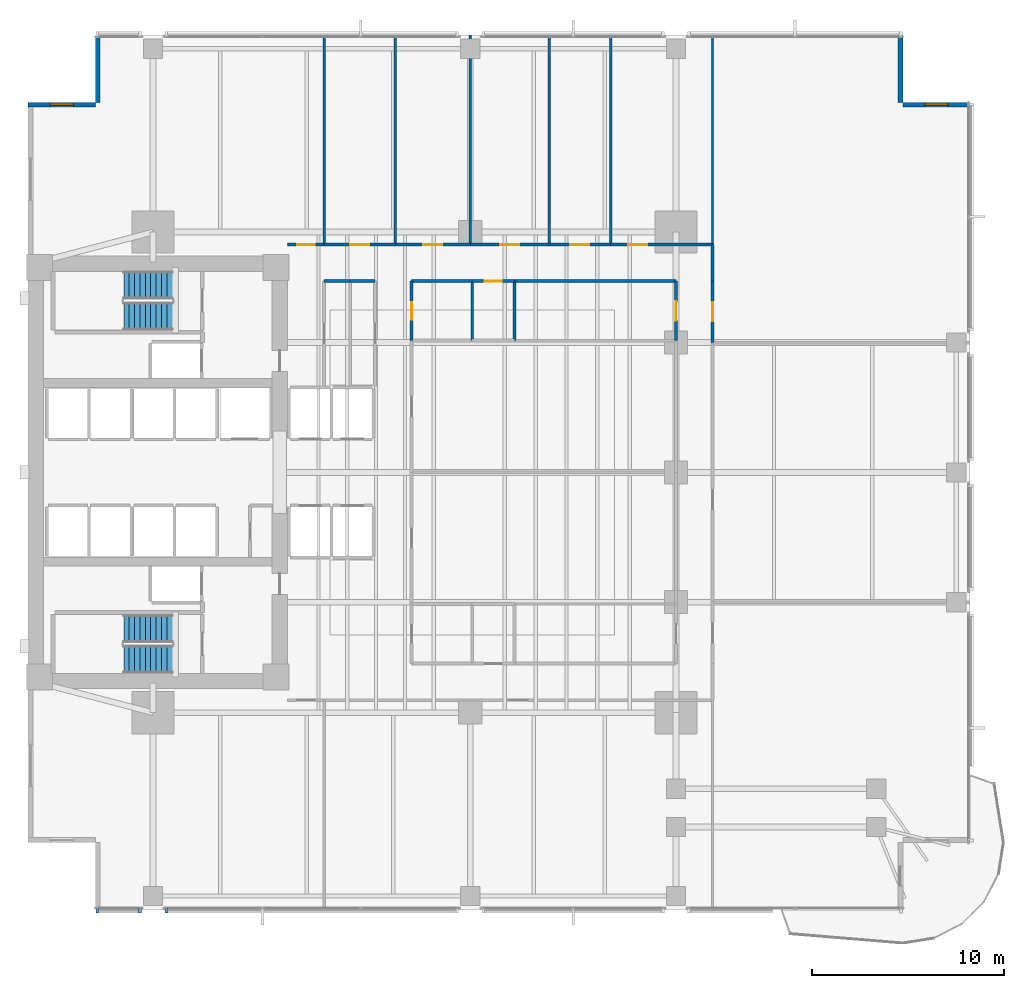
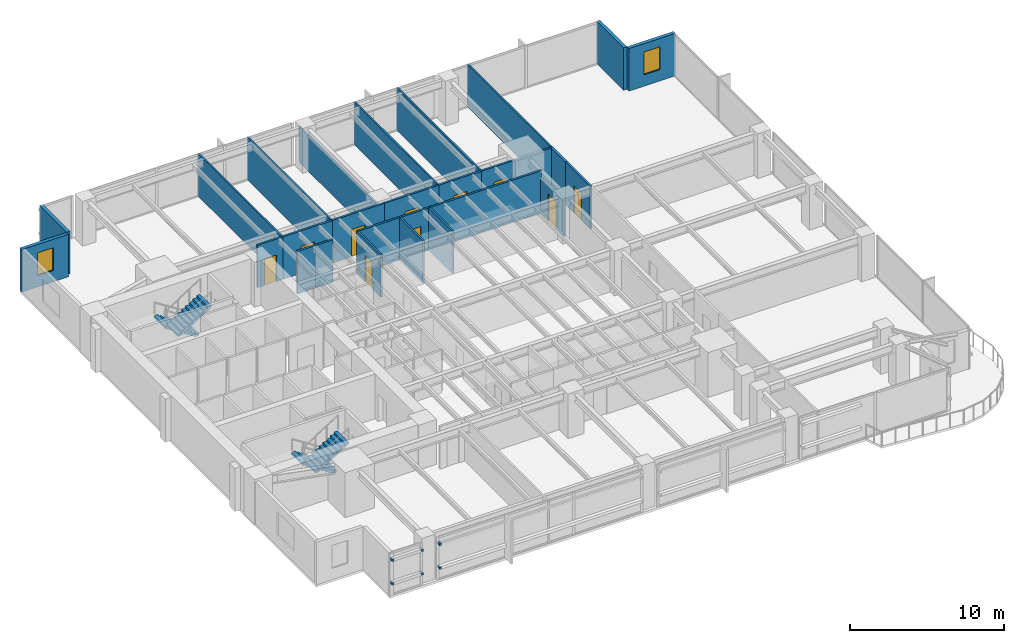
# One storey, part 10 of 15: 27 walls, 10 doors, 6 discrete accessories, 4 stair flights, 2 windows, 12 openings, 2 elements without a shape of their own.
"""IFC4 building model written with IfcOpenShell, lengths in metres."""

from ifc_helpers import new_model, si_unit, direction, frame, frame_2d, origin, origin_2d, place, context, subcontext, project, spatial, polyline, rectangle, outline, extrude, material, layer, layer_set, type_object, element, fill, aggregate, save


model = new_model("IFC4")

# Units and contexts
model_context = context("Model", 3, precision=1e-05, world=origin(), true_north=direction((0.0, 1.0)))
body_context = subcontext(model_context, "Body", "Model", "MODEL_VIEW")
ifc_project = project(units=[si_unit("LENGTHUNIT", "METRE"), si_unit("AREAUNIT", "SQUARE_METRE"), si_unit("VOLUMEUNIT", "CUBIC_METRE"), si_unit("PLANEANGLEUNIT", "RADIAN"), si_unit("MASSUNIT", "GRAM", prefix="KILO")], contexts=[model_context])

# Site, building, storey
site_placement = place(None, origin())
site = spatial("IfcSite", under=ifc_project, at=site_placement, CompositionType="ELEMENT")
building_placement = place(site_placement, origin())
building = spatial("IfcBuilding", under=site, at=building_placement, Name="Kinhvarn Gate Tower", CompositionType="ELEMENT")
storey_placement = place(building_placement, frame((0.0, 0.0, 54.0)))
storey = spatial("IfcBuildingStorey", under=building, at=storey_placement, Name="L13", CompositionType="ELEMENT", Elevation=54.0)

# Wall, opening, window
ifc_material_1 = material(Name="Fired architectural terracotta", Category="masonry")
ifc_layer_1 = layer(ifc_material_1, 0.25)
ifc_layer_set_1 = layer_set([ifc_layer_1], Name="Fired architectural terracotta")
wall_type_1 = type_object("IfcWallType", Name="WL-EXT-250", PredefinedType="SOLIDWALL", material=ifc_layer_set_1)
wall_1_placement = place(storey_placement, frame((53.5, 44.375, 0.0), z_axis=(0.0, 0.0, 1.0), x_axis=(-1.0, 0.0, 0.0)))
wall_1 = element("IfcWall", 1, at=wall_1_placement, inside=storey, type_object=wall_type_1, Name="Exterior Solidwall Wall EW-250 (L13 NE-Notch-1)", PredefinedType="SOLIDWALL", context=body_context, shape_type="SweptSolid", body=[
    extrude(rectangle(XDim=3.5, YDim=0.25, at=frame_2d((1.75, 0.0))), origin(), (0.0, 0.0, 1.0), 3.3701171875),
])
opening_1_placement = place(wall_1_placement, frame((1.14990234375, 0.0, 0.89990234375)))
opening_1 = element("IfcOpeningElement", 2, at=opening_1_placement, cuts=wall_1, Name="Opening WN-02", PredefinedType="OPENING", context=body_context, shape_type="SweptSolid", body=[
    extrude(rectangle(XDim=1.199951171875, YDim=1.800048828125, at=frame_2d((0.60009765625, 0.89990234375))), frame((0.0, 0.135009765625, 0.0), z_axis=(0.0, -1.0, 0.0), x_axis=(1.0, 0.0, 0.0)), (0.0, 0.0, 1.0), 0.27001953125),
])
ifc_material_2 = material(Name="Clear low-e double glazing", Category="glass")
window_type = type_object("IfcWindowType", Name="WIN-NTC-1200", PartitioningType="SINGLE_PANEL", PredefinedType="WINDOW", material=ifc_material_2)
window_1_placement = place(opening_1_placement, origin())
window_1 = element("IfcWindow", 3, at=window_1_placement, inside=storey, type_object=window_type, Name="Recessed Corner Notch Punched Window 1200x1800 mm (L13)", OverallHeight=1.800048828125, OverallWidth=1.199951171875, PartitioningType="SINGLE_PANEL", PredefinedType="WINDOW", context=body_context, shape_type="SweptSolid", body=[
    extrude(rectangle(XDim=1.199951171875, YDim=1.800048828125, at=frame_2d((0.60009765625, 0.89990234375))), frame((0.0, 0.030029296875, 0.0), z_axis=(0.0, -1.0, 0.0), x_axis=(1.0, 0.0, 0.0)), (0.0, 0.0, 1.0), 0.06005859375),
])
fill(opening_1, window_1)

# Walls
for number, where, z_axis, x_axis, name in (
    (4, (49.875, 44.5, 0.0), (0.0, 0.0, 1.0), (0.0, 1.0, 0.0), "Exterior Solidwall Wall EW-250 (L13 NE-Notch-2)"),
    (5, (8.125, 48.0, 0.0), (0.0, 0.0, 1.0), (0.0, -1.0, 0.0), "Exterior Solidwall Wall EW-250 (L13 NW-Notch-1)"),
):
    element("IfcWall", number, at=place(storey_placement, frame(where, z_axis=z_axis, x_axis=x_axis)), inside=storey, type_object=wall_type_1, Name=name, PredefinedType="SOLIDWALL", context=body_context, shape_type="SweptSolid", body=[
        extrude(rectangle(XDim=3.5, YDim=0.25, at=frame_2d((1.75, 0.0))), origin(), (0.0, 0.0, 1.0), 3.3701171875),
    ])

# Wall, opening, window
wall_2_placement = place(storey_placement, frame((8.0, 44.375, 0.0), z_axis=(0.0, 0.0, 1.0), x_axis=(-1.0, 0.0, 0.0)))
wall_2 = element("IfcWall", 6, at=wall_2_placement, inside=storey, type_object=wall_type_1, Name="Exterior Solidwall Wall EW-250 (L13 NW-Notch-2)", PredefinedType="SOLIDWALL", context=body_context, shape_type="SweptSolid", body=[
    extrude(rectangle(XDim=3.5, YDim=0.25, at=frame_2d((1.75, 0.0))), origin(), (0.0, 0.0, 1.0), 3.3701171875),
])
opening_2_placement = place(wall_2_placement, frame((1.14990234375, 0.0, 0.89990234375)))
opening_2 = element("IfcOpeningElement", 7, at=opening_2_placement, cuts=wall_2, Name="Opening WN-02", PredefinedType="OPENING", context=body_context, shape_type="SweptSolid", body=[
    extrude(rectangle(XDim=1.199951171875, YDim=1.800048828125, at=frame_2d((0.60009765625, 0.89990234375))), frame((0.0, 0.135009765625, 0.0), z_axis=(0.0, -1.0, 0.0), x_axis=(1.0, 0.0, 0.0)), (0.0, 0.0, 1.0), 0.27001953125),
])
window_2_placement = place(opening_2_placement, origin())
window_2 = element("IfcWindow", 8, at=window_2_placement, inside=storey, type_object=window_type, Name="Recessed Corner Notch Punched Window 1200x1800 mm (L13)", OverallHeight=1.800048828125, OverallWidth=1.199951171875, PartitioningType="SINGLE_PANEL", PredefinedType="WINDOW", context=body_context, shape_type="SweptSolid", body=[
    extrude(rectangle(XDim=1.199951171875, YDim=1.800048828125, at=frame_2d((0.60009765625, 0.89990234375))), frame((0.0, 0.030029296875, 0.0), z_axis=(0.0, -1.0, 0.0), x_axis=(1.0, 0.0, 0.0)), (0.0, 0.0, 1.0), 0.06005859375),
])
fill(opening_2, window_2)

# Walls
ifc_material_3 = material(Name="Gypsum acoustic partition board")
ifc_layer_2 = layer(ifc_material_3, 0.14990234375)
ifc_layer_set_2 = layer_set([ifc_layer_2], Name="Gypsum acoustic partition board")
wall_type_2 = type_object("IfcWallType", Name="WL-PLM-150", PredefinedType="PLUMBINGWALL", material=ifc_layer_set_2)
for number, where, z_axis, x_axis, name in (
    (9, (27.60009765625, 32.10009765625, 0.0), (0.0, 0.0, 1.0), (0.0, 1.0, 0.0), "Interior Partition PLW-150 (L13)"),
    (10, (29.800048828125, 32.10009765625, 0.0), (0.0, 0.0, 1.0), (0.0, 1.0, 0.0), "Interior Partition PLW-150 (L13)"),
):
    element("IfcWall", number, at=place(storey_placement, frame(where, z_axis=z_axis, x_axis=x_axis)), inside=storey, type_object=wall_type_2, Name=name, PredefinedType="PLUMBINGWALL", context=body_context, shape_type="SweptSolid", body=[
        extrude(rectangle(XDim=3.099853515625, YDim=0.14990234375, at=frame_2d((1.5498046875, 0.0))), origin(), (0.0, 0.0, 1.0), 3.3701171875),
    ])

# Wall, opening, door
ifc_layer_3 = layer(ifc_material_3, 0.14990234375)
ifc_layer_set_3 = layer_set([ifc_layer_3], Name="Gypsum acoustic partition board")
wall_type_3 = type_object("IfcWallType", Name="WL-PLM-150F", PredefinedType="PLUMBINGWALL", material=ifc_layer_set_3)
wall_3_placement = place(storey_placement, frame((24.449951171875, 32.10009765625, 0.0), z_axis=(0.0, 0.0, 1.0), x_axis=(0.0, 1.0, 0.0)))
wall_3 = element("IfcWall", 11, at=wall_3_placement, inside=storey, type_object=wall_type_3, Name="Interior Partition PLW-150F (L13)", PredefinedType="PLUMBINGWALL", context=body_context, shape_type="SweptSolid", body=[
    extrude(rectangle(XDim=3.099853515625, YDim=0.14990234375, at=frame_2d((1.5498046875, 0.0))), origin(), (0.0, 0.0, 1.0), 3.3701171875),
])
opening_3_placement = place(wall_3_placement, frame((1.10009765625, 0.0, 0.0)))
opening_3 = element("IfcOpeningElement", 12, at=opening_3_placement, cuts=wall_3, Name="Opening FD-04", PredefinedType="OPENING", context=body_context, shape_type="SweptSolid", body=[
    extrude(rectangle(XDim=0.89990234375, YDim=2.10009765625, at=frame_2d((0.449951171875, 1.050048828125))), frame((0.0, 0.0849609375, 0.0), z_axis=(0.0, -1.0, 0.0), x_axis=(1.0, 0.0, 0.0)), (0.0, 0.0, 1.0), 0.169921875),
])
ifc_material_4 = material(Name="Anodised aluminium AW-6063", Category="aluminium")
door_type_1 = type_object("IfcDoorType", Name="DR-FD-900", OperationType="NOTDEFINED", PredefinedType="DOOR", material=ifc_material_4)
door_1_placement = place(opening_3_placement, origin())
door_1 = element("IfcDoor", 13, at=door_1_placement, inside=storey, type_object=door_type_1, Name="Rated Riser & Service Closet Fire Door 900x2100 mm (L13)", OperationType="SINGLE_SWING_LEFT", OverallHeight=2.10009765625, OverallWidth=0.89990234375, PredefinedType="DOOR", context=body_context, shape_type="SweptSolid", body=[
    extrude(rectangle(XDim=0.89990234375, YDim=2.10009765625, at=frame_2d((0.449951171875, 1.050048828125))), frame((0.0, 0.02490234375, 0.0), z_axis=(0.0, -1.0, 0.0), x_axis=(1.0, 0.0, 0.0)), (0.0, 0.0, 1.0), 0.050048828125),
])
fill(opening_3, door_1)

# Wall
wall_4_placement = place(storey_placement, frame((24.449951171875, 35.199951171875, 0.0), z_axis=(0.0, 0.0, 1.0), x_axis=(1.0, 0.0, 0.0)))
element("IfcWall", 14, at=wall_4_placement, inside=storey, type_object=wall_type_3, Name="Interior Partition PLW-150F (L13)", PredefinedType="PLUMBINGWALL", context=body_context, shape_type="SweptSolid", body=[
    extrude(rectangle(XDim=3.150146484375, YDim=0.14990234375, at=frame_2d((1.5751953125, 0.0))), origin(), (0.0, 0.0, 1.0), 3.3701171875),
])

# Wall, opening, door
wall_5_placement = place(storey_placement, frame((27.60009765625, 35.199951171875, 0.0), z_axis=(0.0, 0.0, 1.0), x_axis=(1.0, 0.0, 0.0)))
wall_5 = element("IfcWall", 15, at=wall_5_placement, inside=storey, type_object=wall_type_3, Name="Interior Partition PLW-150F (L13)", PredefinedType="PLUMBINGWALL", context=body_context, shape_type="SweptSolid", body=[
    extrude(rectangle(XDim=2.199951171875, YDim=0.14990234375, at=frame_2d((1.10009765625, 0.0))), origin(), (0.0, 0.0, 1.0), 3.3701171875),
])
opening_4_placement = place(wall_5_placement, frame((0.64990234375, 0.0, 0.0)))
opening_4 = element("IfcOpeningElement", 16, at=opening_4_placement, cuts=wall_5, Name="Opening FD-04", PredefinedType="OPENING", context=body_context, shape_type="SweptSolid", body=[
    extrude(rectangle(XDim=0.89990234375, YDim=2.10009765625, at=frame_2d((0.449951171875, 1.050048828125))), frame((0.0, 0.0849609375, 0.0), z_axis=(0.0, -1.0, 0.0), x_axis=(1.0, 0.0, 0.0)), (0.0, 0.0, 1.0), 0.169921875),
])
door_2_placement = place(opening_4_placement, origin())
door_2 = element("IfcDoor", 17, at=door_2_placement, inside=storey, type_object=door_type_1, Name="Rated Riser & Service Closet Fire Door 900x2100 mm (L13)", OperationType="SINGLE_SWING_RIGHT", OverallHeight=2.10009765625, OverallWidth=0.89990234375, PredefinedType="DOOR", context=body_context, shape_type="SweptSolid", body=[
    extrude(rectangle(XDim=0.89990234375, YDim=2.10009765625, at=frame_2d((0.449951171875, 1.050048828125))), frame((0.0, 0.02490234375, 0.0), z_axis=(0.0, -1.0, 0.0), x_axis=(1.0, 0.0, 0.0)), (0.0, 0.0, 1.0), 0.050048828125),
])
fill(opening_4, door_2)

# Walls
ifc_layer_4 = layer(ifc_material_3, 0.1201171875)
ifc_layer_set_4 = layer_set([ifc_layer_4], Name="Gypsum acoustic partition board")
wall_type_4 = type_object("IfcWallType", Name="WL-PRT-120", PredefinedType="PARTITIONING", material=ifc_layer_set_4)
for number, where, z_axis, x_axis, name in (
    (18, (19.89990234375, 37.10009765625, 0.0), (0.0, 0.0, 1.0), (0.0, 1.0, 0.0), "Interior Partition PW-120 (L13)"),
    (19, (23.60009765625, 37.10009765625, 0.0), (0.0, 0.0, 1.0), (0.0, 1.0, 0.0), "Interior Partition PW-120 (L13)"),
):
    element("IfcWall", number, at=place(storey_placement, frame(where, z_axis=z_axis, x_axis=x_axis)), inside=storey, type_object=wall_type_4, Name=name, PredefinedType="PARTITIONING", context=body_context, shape_type="SweptSolid", body=[
        extrude(rectangle(XDim=10.889892578125, YDim=0.1201171875, at=frame_2d((5.44482421875, 0.0))), origin(), (0.0, 0.0, 1.0), 3.3701171875),
    ])
wall_6_placement = place(storey_placement, frame((27.5, 37.10009765625, 0.0), z_axis=(0.0, 0.0, 1.0), x_axis=(0.0, 1.0, 0.0)))
element("IfcWall", 20, at=wall_6_placement, inside=storey, type_object=wall_type_4, Name="Interior Partition PW-120 (L13)", PredefinedType="PARTITIONING", context=body_context, shape_type="SweptSolid", body=[
    extrude(rectangle(XDim=10.889892578125, YDim=0.1201171875, at=frame_2d((5.44482421875, 0.0))), origin(), (0.0, 0.0, 1.0), 2.820068359375),
])
for number, where, z_axis, x_axis, name in (
    (21, (31.60009765625, 37.10009765625, 0.0), (0.0, 0.0, 1.0), (0.0, 1.0, 0.0), "Interior Partition PW-120 (L13)"),
    (22, (34.800048828125, 37.10009765625, 0.0), (0.0, 0.0, 1.0), (0.0, 1.0, 0.0), "Interior Partition PW-120 (L13)"),
    (23, (40.10009765625, 37.10009765625, 0.0), (0.0, 0.0, 1.0), (0.0, 1.0, 0.0), "Interior Partition PW-120 (L13)"),
):
    element("IfcWall", number, at=place(storey_placement, frame(where, z_axis=z_axis, x_axis=x_axis)), inside=storey, type_object=wall_type_4, Name=name, PredefinedType="PARTITIONING", context=body_context, shape_type="SweptSolid", body=[
        extrude(rectangle(XDim=10.889892578125, YDim=0.1201171875, at=frame_2d((5.44482421875, 0.0))), origin(), (0.0, 0.0, 1.0), 3.3701171875),
    ])
ifc_layer_5 = layer(ifc_material_3, 0.14990234375)
ifc_layer_set_5 = layer_set([ifc_layer_5], Name="Gypsum acoustic partition board")
wall_type_5 = type_object("IfcWallType", Name="WL-PRT-150F", PredefinedType="PARTITIONING", material=ifc_layer_set_5)
wall_7_placement = place(storey_placement, frame((19.89990234375, 35.199951171875, 0.0), z_axis=(0.0, 0.0, 1.0), x_axis=(1.0, 0.0, 0.0)))
element("IfcWall", 24, at=wall_7_placement, inside=storey, type_object=wall_type_5, Name="Interior Partition PW-150F (L13)", PredefinedType="PARTITIONING", context=body_context, shape_type="SweptSolid", body=[
    extrude(rectangle(XDim=1.35009765625, YDim=0.14990234375, at=frame_2d((0.675048828125, 0.0))), origin(), (0.0, 0.0, 1.0), 3.3701171875),
])
wall_8_placement = place(storey_placement, frame((21.25, 35.199951171875, 0.0), z_axis=(0.0, 0.0, 1.0), x_axis=(1.0, 0.0, 0.0)))
element("IfcWall", 25, at=wall_8_placement, inside=storey, type_object=wall_type_5, Name="Interior Partition PW-150F (L13)", PredefinedType="PARTITIONING", context=body_context, shape_type="SweptSolid", body=[
    extrude(rectangle(XDim=1.300048828125, YDim=0.14990234375, at=frame_2d((0.64990234375, 0.0))), origin(), (0.0, 0.0, 1.0), 3.3701171875),
])
wall_9_placement = place(storey_placement, frame((29.800048828125, 35.199951171875, 0.0), z_axis=(0.0, 0.0, 1.0), x_axis=(1.0, 0.0, 0.0)))
element("IfcWall", 26, at=wall_9_placement, inside=storey, type_object=wall_type_5, Name="Interior Partition PW-150F (L13)", PredefinedType="PARTITIONING", context=body_context, shape_type="SweptSolid", body=[
    extrude(rectangle(XDim=8.39990234375, YDim=0.14990234375, at=frame_2d((4.199951171875, 0.0))), origin(), (0.0, 0.0, 1.0), 3.3701171875),
])

# Wall, opening, door
wall_10_placement = place(storey_placement, frame((18.0, 37.10009765625, 0.0), z_axis=(0.0, 0.0, 1.0), x_axis=(1.0, 0.0, 0.0)))
wall_10 = element("IfcWall", 27, at=wall_10_placement, inside=storey, type_object=wall_type_5, Name="Interior Partition PW-150F (L13)", PredefinedType="PARTITIONING", context=body_context, shape_type="SweptSolid", body=[
    extrude(rectangle(XDim=1.89990234375, YDim=0.14990234375, at=frame_2d((0.949951171875, 0.0))), origin(), (0.0, 0.0, 1.0), 3.3701171875),
])
opening_5_placement = place(wall_10_placement, frame((0.5, 0.0, 0.0)))
opening_5 = element("IfcOpeningElement", 28, at=opening_5_placement, cuts=wall_10, Name="Opening ID-03", PredefinedType="OPENING", context=body_context, shape_type="SweptSolid", body=[
    extrude(rectangle(XDim=0.89990234375, YDim=2.10009765625, at=frame_2d((0.449951171875, 1.050048828125))), frame((0.0, 0.0849609375, 0.0), z_axis=(0.0, -1.0, 0.0), x_axis=(1.0, 0.0, 0.0)), (0.0, 0.0, 1.0), 0.169921875),
])
door_type_2 = type_object("IfcDoorType", Name="DR-INT-900", OperationType="NOTDEFINED", PredefinedType="DOOR", material=ifc_material_4)
door_3_placement = place(opening_5_placement, origin())
door_3 = element("IfcDoor", 29, at=door_3_placement, inside=storey, type_object=door_type_2, Name="Cellular Office & Restroom Door 900x2100 mm (L13)", OperationType="SINGLE_SWING_LEFT", OverallHeight=2.10009765625, OverallWidth=0.89990234375, PredefinedType="DOOR", context=body_context, shape_type="SweptSolid", body=[
    extrude(rectangle(XDim=0.89990234375, YDim=2.10009765625, at=frame_2d((0.449951171875, 1.050048828125))), frame((0.0, 0.02490234375, 0.0), z_axis=(0.0, -1.0, 0.0), x_axis=(1.0, 0.0, 0.0)), (0.0, 0.0, 1.0), 0.050048828125),
])
fill(opening_5, door_3)

wall_11_placement = place(storey_placement, frame((19.89990234375, 37.10009765625, 0.0), z_axis=(0.0, 0.0, 1.0), x_axis=(1.0, 0.0, 0.0)))
wall_11 = element("IfcWall", 30, at=wall_11_placement, inside=storey, type_object=wall_type_5, Name="Interior Partition PW-150F (L13)", PredefinedType="PARTITIONING", context=body_context, shape_type="SweptSolid", body=[
    extrude(rectangle(XDim=3.7001953125, YDim=0.14990234375, at=frame_2d((1.85009765625, 0.0))), origin(), (0.0, 0.0, 1.0), 3.3701171875),
])
opening_6_placement = place(wall_11_placement, frame((1.35009765625, 0.0, 0.0)))
opening_6 = element("IfcOpeningElement", 31, at=opening_6_placement, cuts=wall_11, Name="Opening ID-02", PredefinedType="OPENING", context=body_context, shape_type="SweptSolid", body=[
    extrude(rectangle(XDim=1.0, YDim=2.14990234375, at=frame_2d((0.5, 1.074951171875))), frame((0.0, 0.0849609375, 0.0), z_axis=(0.0, -1.0, 0.0), x_axis=(1.0, 0.0, 0.0)), (0.0, 0.0, 1.0), 0.169921875),
])
door_type_3 = type_object("IfcDoorType", Name="DR-INT-1000", OperationType="NOTDEFINED", PredefinedType="DOOR", material=ifc_material_4)
door_4_placement = place(opening_6_placement, origin())
door_4 = element("IfcDoor", 32, at=door_4_placement, inside=storey, type_object=door_type_3, Name="Standard Office & Meeting Room Door 1000x2150 mm (L13)", OperationType="SINGLE_SWING_RIGHT", OverallHeight=2.14990234375, OverallWidth=1.0, PredefinedType="DOOR", context=body_context, shape_type="SweptSolid", body=[
    extrude(rectangle(XDim=1.0, YDim=2.14990234375, at=frame_2d((0.5, 1.074951171875))), frame((0.0, 0.02490234375, 0.0), z_axis=(0.0, -1.0, 0.0), x_axis=(1.0, 0.0, 0.0)), (0.0, 0.0, 1.0), 0.050048828125),
])
fill(opening_6, door_4)

wall_12_placement = place(storey_placement, frame((23.60009765625, 37.10009765625, 0.0), z_axis=(0.0, 0.0, 1.0), x_axis=(1.0, 0.0, 0.0)))
wall_12 = element("IfcWall", 33, at=wall_12_placement, inside=storey, type_object=wall_type_5, Name="Interior Partition PW-150F (L13)", PredefinedType="PARTITIONING", context=body_context, shape_type="SweptSolid", body=[
    extrude(rectangle(XDim=3.89990234375, YDim=0.14990234375, at=frame_2d((1.949951171875, 0.0))), origin(), (0.0, 0.0, 1.0), 3.3701171875),
])
opening_7_placement = place(wall_12_placement, frame((1.449951171875, 0.0, 0.0)))
opening_7 = element("IfcOpeningElement", 34, at=opening_7_placement, cuts=wall_12, Name="Opening ID-02", PredefinedType="OPENING", context=body_context, shape_type="SweptSolid", body=[
    extrude(rectangle(XDim=1.0, YDim=2.14990234375, at=frame_2d((0.5, 1.074951171875))), frame((0.0, 0.0849609375, 0.0), z_axis=(0.0, -1.0, 0.0), x_axis=(1.0, 0.0, 0.0)), (0.0, 0.0, 1.0), 0.169921875),
])
door_5_placement = place(opening_7_placement, origin())
door_5 = element("IfcDoor", 35, at=door_5_placement, inside=storey, type_object=door_type_3, Name="Standard Office & Meeting Room Door 1000x2150 mm (L13)", OperationType="SINGLE_SWING_LEFT", OverallHeight=2.14990234375, OverallWidth=1.0, PredefinedType="DOOR", context=body_context, shape_type="SweptSolid", body=[
    extrude(rectangle(XDim=1.0, YDim=2.14990234375, at=frame_2d((0.5, 1.074951171875))), frame((0.0, 0.02490234375, 0.0), z_axis=(0.0, -1.0, 0.0), x_axis=(1.0, 0.0, 0.0)), (0.0, 0.0, 1.0), 0.050048828125),
])
fill(opening_7, door_5)

wall_13_placement = place(storey_placement, frame((27.5, 37.10009765625, 0.0), z_axis=(0.0, 0.0, 1.0), x_axis=(1.0, 0.0, 0.0)))
wall_13 = element("IfcWall", 36, at=wall_13_placement, inside=storey, type_object=wall_type_5, Name="Interior Partition PW-150F (L13)", PredefinedType="PARTITIONING", context=body_context, shape_type="SweptSolid", body=[
    extrude(rectangle(XDim=4.10009765625, YDim=0.14990234375, at=frame_2d((2.050048828125, 0.0))), origin(), (0.0, 0.0, 1.0), 3.3701171875),
])
opening_8_placement = place(wall_13_placement, frame((1.550048828125, 0.0, 0.0)))
opening_8 = element("IfcOpeningElement", 37, at=opening_8_placement, cuts=wall_13, Name="Opening ID-02", PredefinedType="OPENING", context=body_context, shape_type="SweptSolid", body=[
    extrude(rectangle(XDim=1.0, YDim=2.14990234375, at=frame_2d((0.5, 1.074951171875))), frame((0.0, 0.0849609375, 0.0), z_axis=(0.0, -1.0, 0.0), x_axis=(1.0, 0.0, 0.0)), (0.0, 0.0, 1.0), 0.169921875),
])
door_6_placement = place(opening_8_placement, origin())
door_6 = element("IfcDoor", 38, at=door_6_placement, inside=storey, type_object=door_type_3, Name="Standard Office & Meeting Room Door 1000x2150 mm (L13)", OperationType="SINGLE_SWING_RIGHT", OverallHeight=2.14990234375, OverallWidth=1.0, PredefinedType="DOOR", context=body_context, shape_type="SweptSolid", body=[
    extrude(rectangle(XDim=1.0, YDim=2.14990234375, at=frame_2d((0.5, 1.074951171875))), frame((0.0, 0.02490234375, 0.0), z_axis=(0.0, -1.0, 0.0), x_axis=(1.0, 0.0, 0.0)), (0.0, 0.0, 1.0), 0.050048828125),
])
fill(opening_8, door_6)

wall_14_placement = place(storey_placement, frame((31.60009765625, 37.10009765625, 0.0), z_axis=(0.0, 0.0, 1.0), x_axis=(1.0, 0.0, 0.0)))
wall_14 = element("IfcWall", 39, at=wall_14_placement, inside=storey, type_object=wall_type_5, Name="Interior Partition PW-150F (L13)", PredefinedType="PARTITIONING", context=body_context, shape_type="SweptSolid", body=[
    extrude(rectangle(XDim=3.199951171875, YDim=0.14990234375, at=frame_2d((1.60009765625, 0.0))), origin(), (0.0, 0.0, 1.0), 3.3701171875),
])
opening_9_placement = place(wall_14_placement, frame((1.10009765625, 0.0, 0.0)))
opening_9 = element("IfcOpeningElement", 40, at=opening_9_placement, cuts=wall_14, Name="Opening ID-02", PredefinedType="OPENING", context=body_context, shape_type="SweptSolid", body=[
    extrude(rectangle(XDim=1.0, YDim=2.14990234375, at=frame_2d((0.5, 1.074951171875))), frame((0.0, 0.0849609375, 0.0), z_axis=(0.0, -1.0, 0.0), x_axis=(1.0, 0.0, 0.0)), (0.0, 0.0, 1.0), 0.169921875),
])
door_7_placement = place(opening_9_placement, origin())
door_7 = element("IfcDoor", 41, at=door_7_placement, inside=storey, type_object=door_type_3, Name="Standard Office & Meeting Room Door 1000x2150 mm (L13)", OperationType="SINGLE_SWING_LEFT", OverallHeight=2.14990234375, OverallWidth=1.0, PredefinedType="DOOR", context=body_context, shape_type="SweptSolid", body=[
    extrude(rectangle(XDim=1.0, YDim=2.14990234375, at=frame_2d((0.5, 1.074951171875))), frame((0.0, 0.02490234375, 0.0), z_axis=(0.0, -1.0, 0.0), x_axis=(1.0, 0.0, 0.0)), (0.0, 0.0, 1.0), 0.050048828125),
])
fill(opening_9, door_7)

wall_15_placement = place(storey_placement, frame((34.800048828125, 37.10009765625, 0.0), z_axis=(0.0, 0.0, 1.0), x_axis=(1.0, 0.0, 0.0)))
wall_15 = element("IfcWall", 42, at=wall_15_placement, inside=storey, type_object=wall_type_5, Name="Interior Partition PW-150F (L13)", PredefinedType="PARTITIONING", context=body_context, shape_type="SweptSolid", body=[
    extrude(rectangle(XDim=5.300048828125, YDim=0.14990234375, at=frame_2d((2.64990234375, 0.0))), origin(), (0.0, 0.0, 1.0), 3.3701171875),
])
opening_10_placement = place(wall_15_placement, frame((0.909912109375, 0.0, 0.0)))
opening_10 = element("IfcOpeningElement", 43, at=opening_10_placement, cuts=wall_15, Name="Opening ID-02", PredefinedType="OPENING", context=body_context, shape_type="SweptSolid", body=[
    extrude(rectangle(XDim=1.0, YDim=2.14990234375, at=frame_2d((0.5, 1.074951171875))), frame((0.0, 0.0849609375, 0.0), z_axis=(0.0, -1.0, 0.0), x_axis=(1.0, 0.0, 0.0)), (0.0, 0.0, 1.0), 0.169921875),
])
door_8_placement = place(opening_10_placement, origin())
door_8 = element("IfcDoor", 44, at=door_8_placement, inside=storey, type_object=door_type_3, Name="Standard Office & Meeting Room Door 1000x2150 mm (L13)", OperationType="SINGLE_SWING_RIGHT", OverallHeight=2.14990234375, OverallWidth=1.0, PredefinedType="DOOR", context=body_context, shape_type="SweptSolid", body=[
    extrude(rectangle(XDim=1.0, YDim=2.14990234375, at=frame_2d((0.5, 1.074951171875))), frame((0.0, 0.02490234375, 0.0), z_axis=(0.0, -1.0, 0.0), x_axis=(1.0, 0.0, 0.0)), (0.0, 0.0, 1.0), 0.050048828125),
])
fill(opening_10, door_8)

# Wall
wall_16_placement = place(storey_placement, frame((40.10009765625, 35.199951171875, 0.0), z_axis=(0.0, 0.0, 1.0), x_axis=(0.0, 1.0, 0.0)))
element("IfcWall", 45, at=wall_16_placement, inside=storey, type_object=wall_type_5, Name="Interior Partition PW-150F (L13)", PredefinedType="PARTITIONING", context=body_context, shape_type="SweptSolid", body=[
    extrude(rectangle(XDim=1.900146484375, YDim=0.14990234375, at=frame_2d((0.9501953125, 0.0))), origin(), (0.0, 0.0, 1.0), 3.3701171875),
])

# Wall, opening, door
wall_17_placement = place(storey_placement, frame((38.199951171875, 32.10009765625, 0.0), z_axis=(0.0, 0.0, 1.0), x_axis=(0.0, 1.0, 0.0)))
wall_17 = element("IfcWall", 46, at=wall_17_placement, inside=storey, type_object=wall_type_5, Name="Interior Partition PW-150F (L13)", PredefinedType="PARTITIONING", context=body_context, shape_type="SweptSolid", body=[
    extrude(rectangle(XDim=3.099853515625, YDim=0.14990234375, at=frame_2d((1.5498046875, 0.0))), origin(), (0.0, 0.0, 1.0), 2.820068359375),
])
opening_11_placement = place(wall_17_placement, frame((1.050048828125, 0.0, 0.0)))
opening_11 = element("IfcOpeningElement", 47, at=opening_11_placement, cuts=wall_17, Name="Opening ID-02", PredefinedType="OPENING", context=body_context, shape_type="SweptSolid", body=[
    extrude(rectangle(XDim=1.0, YDim=2.14990234375, at=frame_2d((0.5, 1.074951171875))), frame((0.0, 0.0849609375, 0.0), z_axis=(0.0, -1.0, 0.0), x_axis=(1.0, 0.0, 0.0)), (0.0, 0.0, 1.0), 0.169921875),
])
door_9_placement = place(opening_11_placement, origin())
door_9 = element("IfcDoor", 48, at=door_9_placement, inside=storey, type_object=door_type_3, Name="Standard Office & Meeting Room Door 1000x2150 mm (L13)", OperationType="SINGLE_SWING_RIGHT", OverallHeight=2.14990234375, OverallWidth=1.0, PredefinedType="DOOR", context=body_context, shape_type="SweptSolid", body=[
    extrude(rectangle(XDim=1.0, YDim=2.14990234375, at=frame_2d((0.5, 1.074951171875))), frame((0.0, 0.02490234375, 0.0), z_axis=(0.0, -1.0, 0.0), x_axis=(1.0, 0.0, 0.0)), (0.0, 0.0, 1.0), 0.050048828125),
])
fill(opening_11, door_9)

wall_18_placement = place(storey_placement, frame((40.10009765625, 32.0, 0.0), z_axis=(0.0, 0.0, 1.0), x_axis=(0.0, 1.0, 0.0)))
wall_18 = element("IfcWall", 49, at=wall_18_placement, inside=storey, type_object=wall_type_5, Name="Interior Partition PW-150F (L13)", PredefinedType="PARTITIONING", context=body_context, shape_type="SweptSolid", body=[
    extrude(rectangle(XDim=3.199951171875, YDim=0.14990234375, at=frame_2d((1.60009765625, 0.0))), origin(), (0.0, 0.0, 1.0), 3.3701171875),
])
opening_12_placement = place(wall_18_placement, frame((1.10009765625, 0.0, 0.0)))
opening_12 = element("IfcOpeningElement", 50, at=opening_12_placement, cuts=wall_18, Name="Opening ID-02", PredefinedType="OPENING", context=body_context, shape_type="SweptSolid", body=[
    extrude(rectangle(XDim=1.0, YDim=2.14990234375, at=frame_2d((0.5, 1.074951171875))), frame((0.0, 0.0849609375, 0.0), z_axis=(0.0, -1.0, 0.0), x_axis=(1.0, 0.0, 0.0)), (0.0, 0.0, 1.0), 0.169921875),
])
door_10_placement = place(opening_12_placement, origin())
door_10 = element("IfcDoor", 51, at=door_10_placement, inside=storey, type_object=door_type_3, Name="Standard Office & Meeting Room Door 1000x2150 mm (L13)", OperationType="SINGLE_SWING_LEFT", OverallHeight=2.14990234375, OverallWidth=1.0, PredefinedType="DOOR", context=body_context, shape_type="SweptSolid", body=[
    extrude(rectangle(XDim=1.0, YDim=2.14990234375, at=frame_2d((0.5, 1.074951171875))), frame((0.0, 0.02490234375, 0.0), z_axis=(0.0, -1.0, 0.0), x_axis=(1.0, 0.0, 0.0)), (0.0, 0.0, 1.0), 0.050048828125),
])
fill(opening_12, door_10)

# Stair, stair flights
ifc_material_5 = material(Name="Concrete C40/50", Category="concrete")
stair_type = type_object("IfcStairType", Name="STR-DLG-177", PredefinedType="HALF_TURN_STAIR", material=ifc_material_5)
stair_1_placement = place(storey_placement, origin())
stair_1 = element("IfcStair", 52, at=stair_1_placement, inside=storey, type_object=stair_type, Name="L13 Core Smokeproof Exit Stair ST1", PredefinedType="HALF_TURN_STAIR")
stair_flight_type = type_object("IfcStairFlightType", Name="STF-DLG-177", PredefinedType="STRAIGHT", material=ifc_material_5)
stair_flight_1_placement = place(storey_placement, frame((12.0, 17.125, 0.0), z_axis=(0.0, 0.0, 1.0), x_axis=(-1.0, 0.0, 0.0)))
stair_flight_1 = element("IfcStairFlight", 53, at=stair_flight_1_placement, type_object=stair_flight_type, Name="ST1 flight 1", NumberOfRisers=10, NumberOfTreads=9, PredefinedType="STRAIGHT", RiserHeight=0.1775, TreadLength=0.28, context=body_context, shape_type="SweptSolid", body=[
    extrude(outline(polyline([(0.0, 0.0), (0.0, 0.177490234375), (0.280029296875, 0.177490234375), (0.280029296875, 0.35498046875), (0.56005859375, 0.35498046875), (0.56005859375, 0.532470703125), (0.840087890625, 0.532470703125), (0.840087890625, 0.7099609375), (1.1201171875, 0.7099609375), (1.1201171875, 0.887451171875), (1.39990234375, 0.887451171875), (1.39990234375, 1.06494140625), (1.679931640625, 1.06494140625), (1.679931640625, 1.242431640625), (1.9599609375, 1.242431640625), (1.9599609375, 1.419921875), (2.239990234375, 1.419921875), (2.239990234375, 1.597412109375), (2.52001953125, 1.597412109375), (2.52001953125, 1.77490234375), (2.52001953125, 1.419921875), (0.280029296875, 0.0), (0.0, 0.0)])), frame((0.0, 0.72509765625, 0.0), z_axis=(0.0, -1.0, 0.0), x_axis=(1.0, 0.0, 0.0)), (0.0, 0.0, 1.0), 1.449951171875),
])
stair_flight_2_placement = place(storey_placement, frame((9.47998046875, 15.52490234375, 1.77490234375), z_axis=(0.0, 0.0, 1.0), x_axis=(1.0, 0.0, 0.0)))
stair_flight_2 = element("IfcStairFlight", 54, at=stair_flight_2_placement, type_object=stair_flight_type, Name="ST1 flight 2", NumberOfRisers=10, NumberOfTreads=9, PredefinedType="STRAIGHT", RiserHeight=0.1775, TreadLength=0.28, context=body_context, shape_type="SweptSolid", body=[
    extrude(outline(polyline([(0.0, 0.0), (0.0, 0.177490234375), (0.280029296875, 0.177490234375), (0.280029296875, 0.35498046875), (0.56005859375, 0.35498046875), (0.56005859375, 0.532470703125), (0.840087890625, 0.532470703125), (0.840087890625, 0.7099609375), (1.1201171875, 0.7099609375), (1.1201171875, 0.887451171875), (1.39990234375, 0.887451171875), (1.39990234375, 1.06494140625), (1.679931640625, 1.06494140625), (1.679931640625, 1.242431640625), (1.9599609375, 1.242431640625), (1.9599609375, 1.419921875), (2.239990234375, 1.419921875), (2.239990234375, 1.597412109375), (2.52001953125, 1.597412109375), (2.52001953125, 1.77490234375), (2.52001953125, 1.419921875), (0.280029296875, 0.0), (0.0, 0.0)])), frame((0.0, 0.72509765625, 0.0), z_axis=(0.0, -1.0, 0.0), x_axis=(1.0, 0.0, 0.0)), (0.0, 0.0, 1.0), 1.449951171875),
])
aggregate(stair_1, [stair_flight_1, stair_flight_2])

stair_2_placement = place(storey_placement, origin())
stair_2 = element("IfcStair", 55, at=stair_2_placement, inside=storey, type_object=stair_type, Name="L13 Core Smokeproof Exit Stair ST2", PredefinedType="HALF_TURN_STAIR")
stair_flight_3_placement = place(storey_placement, frame((12.0, 34.97509765625, 0.0), z_axis=(0.0, 0.0, 1.0), x_axis=(-1.0, 0.0, 0.0)))
stair_flight_3 = element("IfcStairFlight", 56, at=stair_flight_3_placement, type_object=stair_flight_type, Name="ST2 flight 1", NumberOfRisers=10, NumberOfTreads=9, PredefinedType="STRAIGHT", RiserHeight=0.1775, TreadLength=0.28, context=body_context, shape_type="SweptSolid", body=[
    extrude(outline(polyline([(0.0, 0.0), (0.0, 0.177490234375), (0.280029296875, 0.177490234375), (0.280029296875, 0.35498046875), (0.56005859375, 0.35498046875), (0.56005859375, 0.532470703125), (0.840087890625, 0.532470703125), (0.840087890625, 0.7099609375), (1.1201171875, 0.7099609375), (1.1201171875, 0.887451171875), (1.39990234375, 0.887451171875), (1.39990234375, 1.06494140625), (1.679931640625, 1.06494140625), (1.679931640625, 1.242431640625), (1.9599609375, 1.242431640625), (1.9599609375, 1.419921875), (2.239990234375, 1.419921875), (2.239990234375, 1.597412109375), (2.52001953125, 1.597412109375), (2.52001953125, 1.77490234375), (2.52001953125, 1.419921875), (0.280029296875, 0.0), (0.0, 0.0)])), frame((0.0, 0.72509765625, 0.0), z_axis=(0.0, -1.0, 0.0), x_axis=(1.0, 0.0, 0.0)), (0.0, 0.0, 1.0), 1.449951171875),
])
stair_flight_4_placement = place(storey_placement, frame((9.47998046875, 33.375, 1.77490234375), z_axis=(0.0, 0.0, 1.0), x_axis=(1.0, 0.0, 0.0)))
stair_flight_4 = element("IfcStairFlight", 57, at=stair_flight_4_placement, type_object=stair_flight_type, Name="ST2 flight 2", NumberOfRisers=10, NumberOfTreads=9, PredefinedType="STRAIGHT", RiserHeight=0.1775, TreadLength=0.28, context=body_context, shape_type="SweptSolid", body=[
    extrude(outline(polyline([(0.0, 0.0), (0.0, 0.177490234375), (0.280029296875, 0.177490234375), (0.280029296875, 0.35498046875), (0.56005859375, 0.35498046875), (0.56005859375, 0.532470703125), (0.840087890625, 0.532470703125), (0.840087890625, 0.7099609375), (1.1201171875, 0.7099609375), (1.1201171875, 0.887451171875), (1.39990234375, 0.887451171875), (1.39990234375, 1.06494140625), (1.679931640625, 1.06494140625), (1.679931640625, 1.242431640625), (1.9599609375, 1.242431640625), (1.9599609375, 1.419921875), (2.239990234375, 1.419921875), (2.239990234375, 1.597412109375), (2.52001953125, 1.597412109375), (2.52001953125, 1.77490234375), (2.52001953125, 1.419921875), (0.280029296875, 0.0), (0.0, 0.0)])), frame((0.0, 0.72509765625, 0.0), z_axis=(0.0, -1.0, 0.0), x_axis=(1.0, 0.0, 0.0)), (0.0, 0.0, 1.0), 1.449951171875),
])
aggregate(stair_2, [stair_flight_3, stair_flight_4])

# Discrete accessories
discrete_accessory_type = type_object("IfcDiscreteAccessoryType", Name="ACC-BRK-01", PredefinedType="BRACKET", material=ifc_material_4)
for number, where, z_axis, x_axis, name in (
    (58, (8.10009765625, 2.4599609375, 0.9599609375), (0.0, 0.0, 1.0), (1.0, 0.0, 0.0), "Baguette Support Bracket BK-01 (L13)"),
    (59, (8.10009765625, 2.4599609375, 2.830078125), (0.0, 0.0, 1.0), (1.0, 0.0, 0.0), "Baguette Support Bracket BK-01 (L13)"),
    (60, (10.320068359375, 2.4599609375, 0.9599609375), (0.0, 0.0, 1.0), (1.0, 0.0, 0.0), "Baguette Support Bracket BK-01 (L13)"),
    (61, (10.320068359375, 2.4599609375, 2.830078125), (0.0, 0.0, 1.0), (1.0, 0.0, 0.0), "Baguette Support Bracket BK-01 (L13)"),
    (62, (11.679931640625, 2.4599609375, 0.9599609375), (0.0, 0.0, 1.0), (1.0, 0.0, 0.0), "Baguette Support Bracket BK-01 (L13)"),
    (63, (11.679931640625, 2.4599609375, 2.830078125), (0.0, 0.0, 1.0), (1.0, 0.0, 0.0), "Baguette Support Bracket BK-01 (L13)"),
):
    element("IfcDiscreteAccessory", number, at=place(storey_placement, frame(where, z_axis=z_axis, x_axis=x_axis)), inside=storey, type_object=discrete_accessory_type, Name=name, PredefinedType="BRACKET", context=body_context, shape_type="SweptSolid", body=[
        extrude(rectangle(XDim=0.139892578125, YDim=0.280029296875, at=origin_2d()), origin(), (0.0, 0.0, 1.0), 0.179931640625),
    ])

save(model, "model.ifc")
